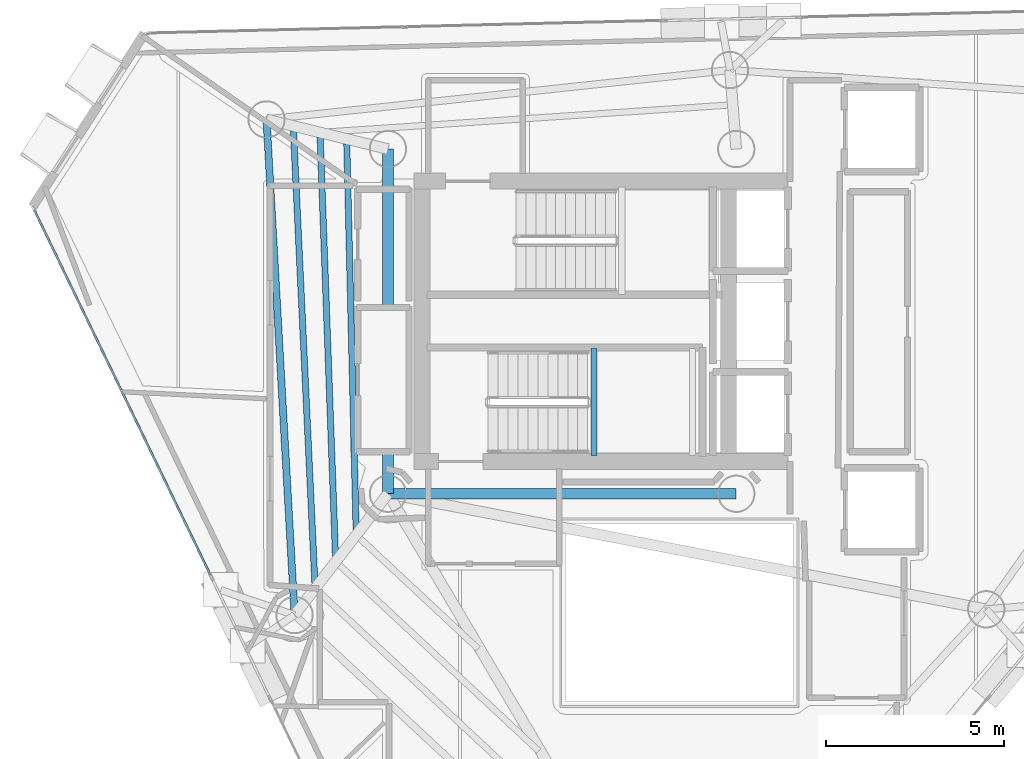
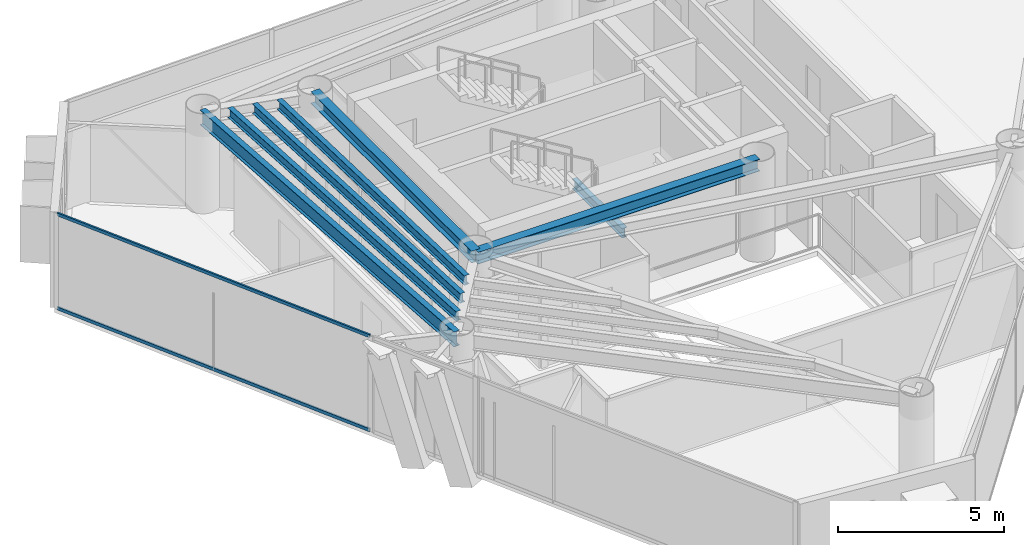
# One storey, part 7 of 20: 7 beams, 2 members, 1 element without a shape of its own.
"""IFC4 building model written with IfcOpenShell, lengths in metres."""

from ifc_helpers import new_model, si_unit, direction, frame, origin, origin_2d, place, context, subcontext, project, spatial, hollow_rectangle, i_section, extrude, material, layer, layer_set, material_profile, profile_set, type_object, element, aggregate, save


model = new_model("IFC4")

# Units and contexts
model_context = context("Model", 3, precision=1e-05, world=origin(), true_north=direction((0.0, 1.0)))
body_context = subcontext(model_context, "Body", "Model", "MODEL_VIEW")
ifc_project = project(units=[si_unit("LENGTHUNIT", "METRE"), si_unit("AREAUNIT", "SQUARE_METRE"), si_unit("VOLUMEUNIT", "CUBIC_METRE"), si_unit("PLANEANGLEUNIT", "RADIAN"), si_unit("MASSUNIT", "GRAM", prefix="KILO")], contexts=[model_context])

# Site, building, storey
site_placement = place(None, origin())
site = spatial("IfcSite", under=ifc_project, at=site_placement, CompositionType="ELEMENT")
building_placement = place(site_placement, origin())
building = spatial("IfcBuilding", under=site, at=building_placement, Name="Qianvela Tower", CompositionType="ELEMENT")
storey_placement = place(building_placement, frame((0.0, 0.0, 257.5)))
storey = spatial("IfcBuildingStorey", under=building, at=storey_placement, Name="L66", CompositionType="ELEMENT", Elevation=257.5)

# Beams
ifc_material_1 = material(Name="Steel Q355B", Category="steel")
ifc_material_profile_1 = material_profile(ifc_material_1, i_section(OverallWidth=0.300048828125, OverallDepth=0.43994140625, WebThickness=0.010986328125, FlangeThickness=0.01806640625, at=origin_2d()), Name="HM440x300x11x18")
ifc_profile_set_1 = profile_set([ifc_material_profile_1], Name="Steel Q355B")
beam_type_1 = type_object("IfcBeamType", Name="BM-HM440-COLL", PredefinedType="BEAM", material=ifc_profile_set_1)
beam_1_placement = place(storey_placement, frame((28.60009765625, 23.85009765625, 3.298095703125), z_axis=(1.0, 0.0, 0.0), x_axis=(0.0, 1.0, 0.0)))
element("IfcBeam", 1, at=beam_1_placement, inside=storey, type_object=beam_type_1, Name="L66 Core Ring Collector Girder CC1", PredefinedType="BEAM", context=body_context, shape_type="SweptSolid", body=[
    extrude(i_section(OverallWidth=0.300048828125, OverallDepth=0.43994140625, WebThickness=0.010986328125, FlangeThickness=0.01806640625, at=origin_2d()), origin(), (0.0, 0.0, 1.0), 9.7998046875),
])
beam_2_placement = place(storey_placement, frame((28.60009765625, 33.550048828125, 3.298095703125), z_axis=(0.0, -1.0, 0.0), x_axis=(1.0, 0.0, 0.0)))
element("IfcBeam", 2, at=beam_2_placement, inside=storey, type_object=beam_type_1, Name="L66 Core Ring Collector Girder CC2", PredefinedType="BEAM", context=body_context, shape_type="SweptSolid", body=[
    extrude(i_section(OverallWidth=0.300048828125, OverallDepth=0.43994140625, WebThickness=0.010986328125, FlangeThickness=0.01806640625, at=origin_2d()), origin(), (0.0, 0.0, 1.0), 9.699951171875),
])
ifc_material_2 = material(Name="Steel Q355B", Category="steel")
ifc_material_profile_2 = material_profile(ifc_material_2, i_section(OverallWidth=0.175048828125, OverallDepth=0.35009765625, WebThickness=0.007080078125, FlangeThickness=0.010986328125, at=origin_2d()), Name="HN350x175x7x11")
ifc_profile_set_2 = profile_set([ifc_material_profile_2], Name="Steel Q355B")
beam_type_2 = type_object("IfcBeamType", Name="BM-HN350-JOIST", PredefinedType="JOIST", material=ifc_profile_set_2)
beam_3_placement = place(storey_placement, frame((27.44140625, 33.6875, 3.343017578125), z_axis=(0.024087497273, -0.999709854145, 0.0), x_axis=(0.999709854145, 0.024087497273, 0.0)))
element("IfcBeam", 3, at=beam_3_placement, inside=storey, type_object=beam_type_2, Name="L66 Secondary Composite Floor Joist 3.1", PredefinedType="JOIST", context=body_context, shape_type="SweptSolid", body=[
    extrude(i_section(OverallWidth=0.175048828125, OverallDepth=0.35009765625, WebThickness=0.007080078125, FlangeThickness=0.010986328125, at=origin_2d()), origin(), (0.0, 0.0, 1.0), 10.855224609375),
])
beam_4_placement = place(storey_placement, frame((26.69140625, 33.87109375, 3.343017578125), z_axis=(0.036597460417, -0.999330088555, 0.0), x_axis=(0.999330088555, 0.036597460417, 0.0)))
element("IfcBeam", 4, at=beam_4_placement, inside=storey, type_object=beam_type_2, Name="L66 Secondary Composite Floor Joist 3.2", PredefinedType="JOIST", context=body_context, shape_type="SweptSolid", body=[
    extrude(i_section(OverallWidth=0.175048828125, OverallDepth=0.35009765625, WebThickness=0.007080078125, FlangeThickness=0.010986328125, at=origin_2d()), origin(), (0.0, 0.0, 1.0), 11.794189453125),
])
beam_5_placement = place(storey_placement, frame((25.94091796875, 34.0546875, 3.343017578125), z_axis=(0.04729372403, -0.998881025782, 0.0), x_axis=(0.998881025782, 0.04729372403, 0.0)))
element("IfcBeam", 5, at=beam_5_placement, inside=storey, type_object=beam_type_2, Name="L66 Secondary Composite Floor Joist 3.3", PredefinedType="JOIST", context=body_context, shape_type="SweptSolid", body=[
    extrude(i_section(OverallWidth=0.175048828125, OverallDepth=0.35009765625, WebThickness=0.007080078125, FlangeThickness=0.010986328125, at=origin_2d()), origin(), (0.0, 0.0, 1.0), 12.735107421875),
])
beam_6_placement = place(storey_placement, frame((34.39990234375, 24.919921875, 1.47509765625), z_axis=(0.0, 1.0, 0.0), x_axis=(-1.0, 0.0, 0.0)))
element("IfcBeam", 6, at=beam_6_placement, inside=storey, type_object=beam_type_2, Name="L66 Stair ST-2 Landing Support Beam 1.1", PredefinedType="JOIST", context=body_context, shape_type="SweptSolid", body=[
    extrude(i_section(OverallWidth=0.175048828125, OverallDepth=0.35009765625, WebThickness=0.007080078125, FlangeThickness=0.010986328125, at=origin_2d()), origin(), (0.0, 0.0, 1.0), 3.02001953125),
])
ifc_material_3 = material(Name="Steel Q355B", Category="steel")
ifc_material_profile_3 = material_profile(ifc_material_3, i_section(OverallWidth=0.199951171875, OverallDepth=0.550048828125, WebThickness=0.010009765625, FlangeThickness=0.01611328125, at=origin_2d()), Name="HN550x200x10x16")
ifc_profile_set_3 = profile_set([ifc_material_profile_3], Name="Steel Q355B")
beam_type_3 = type_object("IfcBeamType", Name="BM-HN550-GIRD", PredefinedType="BEAM", material=ifc_profile_set_3)
beam_7_placement = place(storey_placement, frame((25.181884765625, 34.384033203125, 3.242919921875), z_axis=(0.056555056691, -0.998399481952, 0.0), x_axis=(0.998399481952, 0.056555056691, 0.0)))
element("IfcBeam", 7, at=beam_7_placement, inside=storey, type_object=beam_type_3, Name="L66 Perimeter Ring Spandrel Girder 3", PredefinedType="BEAM", context=body_context, shape_type="SweptSolid", body=[
    extrude(i_section(OverallWidth=0.199951171875, OverallDepth=0.550048828125, WebThickness=0.010009765625, FlangeThickness=0.01611328125, at=origin_2d()), origin(), (0.0, 0.0, 1.0), 13.969482421875),
])

# Curtain wall, members
ifc_material_4 = material(Name="Anodised Architectural Aluminium and Low-E Glass", Category="aluminium")
ifc_layer = layer(ifc_material_4, 0.159912109375)
ifc_layer_set = layer_set([ifc_layer], Name="Anodised Architectural Aluminium and Low-E Glass")
curtain_wall_type = type_object("IfcCurtainWallType", Name="CW-COLIV-Z56", PredefinedType="USERDEFINED", material=ifc_layer_set)
curtain_wall_placement = place(storey_placement, origin())
curtain_wall = element("IfcCurtainWall", 8, at=curtain_wall_placement, inside=storey, type_object=curtain_wall_type, Name="L66 CW-COLIV-Z56 Curtain Wall 04A", ObjectType="CURTAIN_WALL_SYSTEM", PredefinedType="USERDEFINED")
ifc_material_5 = material(Name="Anodised Architectural Aluminium 6063-T6", Category="aluminium")
ifc_material_profile_4 = material_profile(ifc_material_5, hollow_rectangle(XDim=0.06005859375, YDim=0.114990234375, WallThickness=0.00390625, at=origin_2d()), Name="ALU-TRAN-60x115")
ifc_profile_set_4 = profile_set([ifc_material_profile_4], Name="Anodised Architectural Aluminium 6063-T6")
member_type = type_object("IfcMemberType", Name="CW-COLIV-Z56-TRAN", PredefinedType="USERDEFINED", material=ifc_profile_set_4)
member_1_placement = place(storey_placement, frame((18.6484375, 31.828857421875, 0.030029296875), z_axis=(0.434600405166, -0.900623388453, 0.0), x_axis=(0.900623388453, 0.434600405166, 0.0)))
member_1 = element("IfcMember", 9, at=member_1_placement, type_object=member_type, Name="CW-5 transom 1.1", ObjectType="TRANSOM", PredefinedType="USERDEFINED", context=body_context, shape_type="SweptSolid", body=[
    extrude(hollow_rectangle(XDim=0.06005859375, YDim=0.114990234375, WallThickness=0.00390625, at=origin_2d()), origin(), (0.0, 0.0, 1.0), 11.39013671875),
])
member_2_placement = place(storey_placement, frame((18.6484375, 31.828857421875, 3.489990234375), z_axis=(0.434600405166, -0.900623388453, 0.0), x_axis=(0.900623388453, 0.434600405166, 0.0)))
member_2 = element("IfcMember", 10, at=member_2_placement, type_object=member_type, Name="CW-5 transom 1.2", ObjectType="TRANSOM", PredefinedType="USERDEFINED", context=body_context, shape_type="SweptSolid", body=[
    extrude(hollow_rectangle(XDim=0.06005859375, YDim=0.114990234375, WallThickness=0.00390625, at=origin_2d()), origin(), (0.0, 0.0, 1.0), 11.39013671875),
])
aggregate(curtain_wall, [member_1, member_2])

save(model, "model.ifc")
